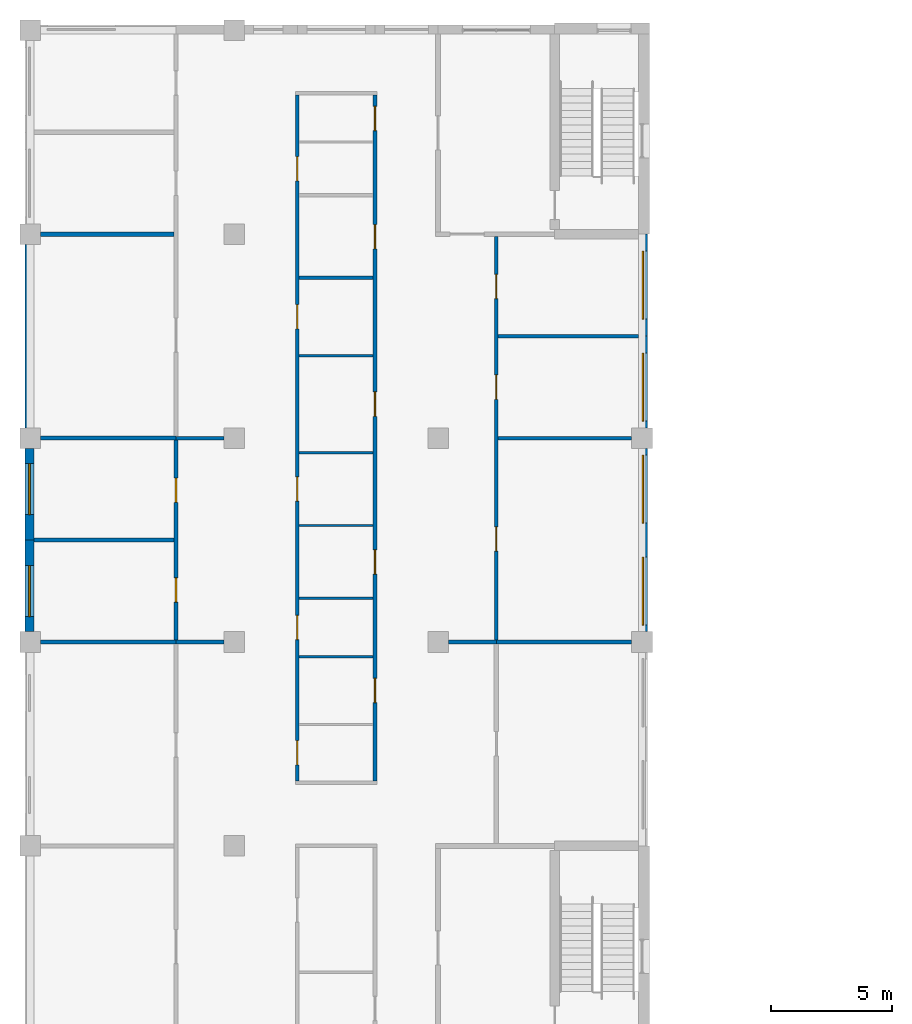
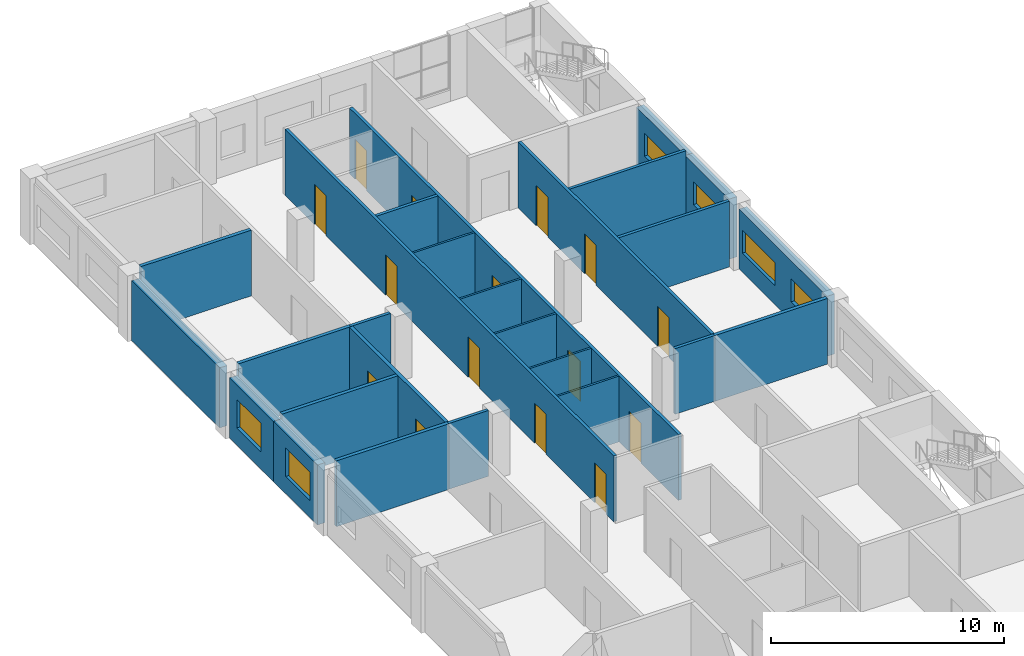
# One storey, part 68 of 94: 26 walls, 15 doors, 6 windows, 21 openings.
"""IFC4 building model written with IfcOpenShell, lengths in metres."""

from ifc_helpers import new_model, si_unit, direction, frame, frame_2d, origin, place, context, subcontext, project, spatial, rectangle, extrude, material, layer, layer_set, type_object, element, fill, save


model = new_model("IFC4")

# Units and contexts
model_context = context("Model", 3, precision=1e-05, world=origin(), true_north=direction((0.0, 1.0)))
body_context = subcontext(model_context, "Body", "Model", "MODEL_VIEW")
ifc_project = project(units=[si_unit("LENGTHUNIT", "METRE"), si_unit("AREAUNIT", "SQUARE_METRE"), si_unit("VOLUMEUNIT", "CUBIC_METRE"), si_unit("PLANEANGLEUNIT", "RADIAN"), si_unit("MASSUNIT", "GRAM", prefix="KILO")], contexts=[model_context])

# Site, building, storey
site_placement = place(None, origin())
site = spatial("IfcSite", under=ifc_project, at=site_placement, CompositionType="ELEMENT")
building_placement = place(site_placement, origin())
building = spatial("IfcBuilding", under=site, at=building_placement, Name="Yavir Park General Hospital", CompositionType="ELEMENT")
storey_placement = place(building_placement, frame((0.0, 0.0, 4.5)))
storey = spatial("IfcBuildingStorey", under=building, at=storey_placement, Name="L01", CompositionType="ELEMENT", Elevation=4.5)

# Walls
ifc_material_1 = material(Name="Double-leaf gypsum board acoustic partition on staggered studs")
ifc_layer_1 = layer(ifc_material_1, 0.175048828125)
ifc_layer_set_1 = layer_set([ifc_layer_1], Name="Double-leaf gypsum board acoustic partition on staggered studs")
wall_type_1 = type_object("IfcWallType", Name="Acoustic partition 175", PredefinedType="PARTITIONING", material=ifc_layer_set_1)
for number, where, z_axis, x_axis, name in (
    (1, (0.425048828125, 92.39990234375, 0.0), (0.0, 0.0, 1.0), (1.0, 0.0, 0.0), "AP175 L01-239"),
    (2, (19.199951171875, 92.39990234375, 0.0), (0.0, 0.0, 1.0), (1.0, 0.0, 0.0), "AP175 L01-242"),
):
    element("IfcWall", number, at=place(storey_placement, frame(where, z_axis=z_axis, x_axis=x_axis)), inside=storey, type_object=wall_type_1, Name=name, PredefinedType="PARTITIONING", context=body_context, shape_type="SweptSolid", body=[
        extrude(rectangle(XDim=5.574951171875, YDim=0.175048828125, at=frame_2d((2.78759765625, 0.0))), origin(), (0.0, 0.0, 1.0), 3.449951171875),
    ])
wall_1_placement = place(storey_placement, frame((0.14990234375, 96.60009765625, 0.0), z_axis=(0.0, 0.0, 1.0), x_axis=(1.0, 0.0, 0.0)))
element("IfcWall", 3, at=wall_1_placement, inside=storey, type_object=wall_type_1, Name="AP175 L01-247", PredefinedType="PARTITIONING", context=body_context, shape_type="SweptSolid", body=[
    extrude(rectangle(XDim=5.7626953125, YDim=0.175048828125, at=frame_2d((2.88134765625, 0.0))), origin(), (0.0, 0.0, 1.0), 3.449951171875),
])
wall_2_placement = place(storey_placement, frame((0.425048828125, 100.800048828125, 0.0), z_axis=(0.0, 0.0, 1.0), x_axis=(1.0, 0.0, 0.0)))
element("IfcWall", 4, at=wall_2_placement, inside=storey, type_object=wall_type_1, Name="AP175 L01-252", PredefinedType="PARTITIONING", context=body_context, shape_type="SweptSolid", body=[
    extrude(rectangle(XDim=5.574951171875, YDim=0.175048828125, at=frame_2d((2.78759765625, 0.0))), origin(), (0.0, 0.0, 1.0), 3.449951171875),
])
wall_3_placement = place(storey_placement, frame((0.425048828125, 109.199951171875, 0.0), z_axis=(0.0, 0.0, 1.0), x_axis=(1.0, 0.0, 0.0)))
element("IfcWall", 5, at=wall_3_placement, inside=storey, type_object=wall_type_1, Name="AP175 L01-263", PredefinedType="PARTITIONING", context=body_context, shape_type="SweptSolid", body=[
    extrude(rectangle(XDim=5.487548828125, YDim=0.175048828125, at=frame_2d((2.74365234375, 0.0))), origin(), (0.0, 0.0, 1.0), 3.449951171875),
])

# Wall, openings, doors
wall_4_placement = place(storey_placement, frame((6.0, 92.487548828125, 0.0), z_axis=(0.0, 0.0, 1.0), x_axis=(0.0, 1.0, 0.0)))
wall_4 = element("IfcWall", 6, at=wall_4_placement, inside=storey, type_object=wall_type_1, Name="AP175 L01-282", PredefinedType="PARTITIONING", context=body_context, shape_type="SweptSolid", body=[
    extrude(rectangle(XDim=8.224853515625, YDim=0.175048828125, at=frame_2d((4.1123046875, 0.0))), origin(), (0.0, 0.0, 1.0), 3.449951171875),
])
opening_1_placement = place(wall_4_placement, frame((1.55615234375, 0.0, 0.0)))
opening_1 = element("IfcOpeningElement", 7, at=opening_1_placement, cuts=wall_4, Name="Opening L01.D174", PredefinedType="OPENING", context=body_context, shape_type="SweptSolid", body=[
    extrude(rectangle(XDim=1.0, YDim=2.10009765625, at=frame_2d((0.5, 1.050048828125))), frame((0.0, 0.097412109375, 0.0), z_axis=(0.0, -1.0, 0.0), x_axis=(1.0, 0.0, 0.0)), (0.0, 0.0, 1.0), 0.195068359375),
])
opening_2_placement = place(wall_4_placement, frame((5.668701171875, 0.0, 0.0)))
opening_2 = element("IfcOpeningElement", 8, at=opening_2_placement, cuts=wall_4, Name="Opening L01.D175", PredefinedType="OPENING", context=body_context, shape_type="SweptSolid", body=[
    extrude(rectangle(XDim=1.0, YDim=2.10009765625, at=frame_2d((0.5, 1.050048828125))), frame((0.0, 0.097412109375, 0.0), z_axis=(0.0, -1.0, 0.0), x_axis=(1.0, 0.0, 0.0)), (0.0, 0.0, 1.0), 0.195068359375),
])
ifc_material_2 = material(Name="Sealed solid-core acoustic door leaf, Rw 42 dB")
door_type_1 = type_object("IfcDoorType", Name="Acoustic door 1000 x 2100", OperationType="SINGLE_SWING_LEFT", PredefinedType="DOOR", material=ifc_material_2)
door_1_placement = place(opening_1_placement, origin())
door_1 = element("IfcDoor", 9, at=door_1_placement, inside=storey, type_object=door_type_1, Name="L01.D174", OperationType="SINGLE_SWING_LEFT", OverallHeight=2.10009765625, OverallWidth=1.0, PredefinedType="DOOR", context=body_context, shape_type="SweptSolid", body=[
    extrude(rectangle(XDim=1.0, YDim=2.10009765625, at=frame_2d((0.5, 1.050048828125))), frame((0.0, 0.03515625, 0.0), z_axis=(0.0, -1.0, 0.0), x_axis=(1.0, 0.0, 0.0)), (0.0, 0.0, 1.0), 0.070068359375),
])
fill(opening_1, door_1)
door_2_placement = place(opening_2_placement, origin())
door_2 = element("IfcDoor", 10, at=door_2_placement, inside=storey, type_object=door_type_1, Name="L01.D175", OperationType="SINGLE_SWING_RIGHT", OverallHeight=2.10009765625, OverallWidth=1.0, PredefinedType="DOOR", context=body_context, shape_type="SweptSolid", body=[
    extrude(rectangle(XDim=1.0, YDim=2.10009765625, at=frame_2d((0.5, 1.050048828125))), frame((0.0, 0.03515625, 0.0), z_axis=(0.0, -1.0, 0.0), x_axis=(1.0, 0.0, 0.0)), (0.0, 0.0, 1.0), 0.070068359375),
])
fill(opening_2, door_2)

# Walls
ifc_material_3 = material(Name="Gypsum board partition on steel studs", Category="steel")
ifc_layer_2 = layer(ifc_material_3, 0.10009765625)
ifc_layer_set_2 = layer_set([ifc_layer_2], Name="Gypsum board partition on steel studs")
wall_type_2 = type_object("IfcWallType", Name="Gypsum board partition 100", PredefinedType="PARTITIONING", material=ifc_layer_set_2)
for number, where, z_axis, x_axis, name in (
    (11, (11.074951171875, 91.800048828125, 0.0), (0.0, 0.0, 1.0), (1.0, 0.0, 0.0), "P10 L01-238"),
    (12, (11.074951171875, 94.199951171875, 0.0), (0.0, 0.0, 1.0), (1.0, 0.0, 0.0), "P10 L01-245"),
    (13, (11.074951171875, 97.199951171875, 0.0), (0.0, 0.0, 1.0), (1.0, 0.0, 0.0), "P10 L01-249"),
    (14, (11.074951171875, 100.199951171875, 0.0), (0.0, 0.0, 1.0), (1.0, 0.0, 0.0), "P10 L01-251"),
    (15, (11.074951171875, 104.199951171875, 0.0), (0.0, 0.0, 1.0), (1.0, 0.0, 0.0), "P10 L01-258"),
):
    element("IfcWall", number, at=place(storey_placement, frame(where, z_axis=z_axis, x_axis=x_axis)), inside=storey, type_object=wall_type_2, Name=name, PredefinedType="PARTITIONING", context=body_context, shape_type="SweptSolid", body=[
        extrude(rectangle(XDim=3.050048828125, YDim=0.10009765625, at=frame_2d((1.52490234375, 0.0))), origin(), (0.0, 0.0, 1.0), 3.449951171875),
    ])
ifc_material_4 = material(Name="Gypsum board partition on steel studs", Category="steel")
ifc_layer_3 = layer(ifc_material_4, 0.14990234375)
ifc_layer_set_3 = layer_set([ifc_layer_3], Name="Gypsum board partition on steel studs")
wall_type_3 = type_object("IfcWallType", Name="Gypsum board partition 150", PredefinedType="PARTITIONING", material=ifc_layer_set_3)
wall_5_placement = place(storey_placement, frame((6.0, 92.39990234375, 0.0), z_axis=(0.0, 0.0, 1.0), x_axis=(1.0, 0.0, 0.0)))
element("IfcWall", 16, at=wall_5_placement, inside=storey, type_object=wall_type_3, Name="P15 L01-240", PredefinedType="PARTITIONING", context=body_context, shape_type="SweptSolid", body=[
    extrude(rectangle(XDim=1.97509765625, YDim=0.14990234375, at=frame_2d((0.987548828125, 0.0))), origin(), (0.0, 0.0, 1.0), 3.449951171875),
])
wall_6_placement = place(storey_placement, frame((17.22509765625, 92.39990234375, 0.0), z_axis=(0.0, 0.0, 1.0), x_axis=(1.0, 0.0, 0.0)))
element("IfcWall", 17, at=wall_6_placement, inside=storey, type_object=wall_type_3, Name="P15 L01-241", PredefinedType="PARTITIONING", context=body_context, shape_type="SweptSolid", body=[
    extrude(rectangle(XDim=1.974853515625, YDim=0.14990234375, at=frame_2d((0.9873046875, 0.0))), origin(), (0.0, 0.0, 1.0), 3.449951171875),
])
wall_7_placement = place(storey_placement, frame((6.0, 100.800048828125, 0.0), z_axis=(0.0, 0.0, 1.0), x_axis=(1.0, 0.0, 0.0)))
element("IfcWall", 18, at=wall_7_placement, inside=storey, type_object=wall_type_3, Name="P15 L01-253", PredefinedType="PARTITIONING", context=body_context, shape_type="SweptSolid", body=[
    extrude(rectangle(XDim=1.97509765625, YDim=0.14990234375, at=frame_2d((0.987548828125, 0.0))), origin(), (0.0, 0.0, 1.0), 3.449951171875),
])
wall_8_placement = place(storey_placement, frame((19.27490234375, 100.800048828125, 0.0), z_axis=(0.0, 0.0, 1.0), x_axis=(1.0, 0.0, 0.0)))
element("IfcWall", 19, at=wall_8_placement, inside=storey, type_object=wall_type_3, Name="P15 L01-254", PredefinedType="PARTITIONING", context=body_context, shape_type="SweptSolid", body=[
    extrude(rectangle(XDim=5.5, YDim=0.14990234375, at=frame_2d((2.75, 0.0))), origin(), (0.0, 0.0, 1.0), 3.449951171875),
])
wall_9_placement = place(storey_placement, frame((19.27490234375, 105.0, 0.0), z_axis=(0.0, 0.0, 1.0), x_axis=(1.0, 0.0, 0.0)))
element("IfcWall", 20, at=wall_9_placement, inside=storey, type_object=wall_type_3, Name="P15 L01-260", PredefinedType="PARTITIONING", context=body_context, shape_type="SweptSolid", body=[
    extrude(rectangle(XDim=5.775146484375, YDim=0.14990234375, at=frame_2d((2.8876953125, 0.0))), origin(), (0.0, 0.0, 1.0), 3.449951171875),
])
wall_10_placement = place(storey_placement, frame((11.074951171875, 107.39990234375, 0.0), z_axis=(0.0, 0.0, 1.0), x_axis=(1.0, 0.0, 0.0)))
element("IfcWall", 21, at=wall_10_placement, inside=storey, type_object=wall_type_3, Name="P15 L01-262", PredefinedType="PARTITIONING", context=body_context, shape_type="SweptSolid", body=[
    extrude(rectangle(XDim=3.050048828125, YDim=0.14990234375, at=frame_2d((1.52490234375, 0.0))), origin(), (0.0, 0.0, 1.0), 3.449951171875),
])

# Wall, openings, doors
wall_11_placement = place(storey_placement, frame((11.0, 86.675048828125, 0.0), z_axis=(0.0, 0.0, 1.0), x_axis=(0.0, 1.0, 0.0)))
wall_11 = element("IfcWall", 22, at=wall_11_placement, inside=storey, type_object=wall_type_3, Name="P15 L01-292", PredefinedType="PARTITIONING", context=body_context, shape_type="SweptSolid", body=[
    extrude(rectangle(XDim=28.25, YDim=0.14990234375, at=frame_2d((14.125, 0.0))), origin(), (0.0, 0.0, 1.0), 3.449951171875),
])
opening_3_placement = place(wall_11_placement, frame((0.66259765625, 0.0, 0.0)))
opening_3 = element("IfcOpeningElement", 23, at=opening_3_placement, cuts=wall_11, Name="Opening L01.D189", PredefinedType="OPENING", context=body_context, shape_type="SweptSolid", body=[
    extrude(rectangle(XDim=1.0, YDim=2.10009765625, at=frame_2d((0.5, 1.050048828125))), frame((0.0, 0.0849609375, 0.0), z_axis=(0.0, -1.0, 0.0), x_axis=(1.0, 0.0, 0.0)), (0.0, 0.0, 1.0), 0.169921875),
])
opening_4_placement = place(wall_11_placement, frame((5.824951171875, 0.0, 0.0)))
opening_4 = element("IfcOpeningElement", 24, at=opening_4_placement, cuts=wall_11, Name="Opening L01.D190", PredefinedType="OPENING", context=body_context, shape_type="SweptSolid", body=[
    extrude(rectangle(XDim=1.0, YDim=2.10009765625, at=frame_2d((0.5, 1.050048828125))), frame((0.0, 0.0849609375, 0.0), z_axis=(0.0, -1.0, 0.0), x_axis=(1.0, 0.0, 0.0)), (0.0, 0.0, 1.0), 0.169921875),
])
opening_5_placement = place(wall_11_placement, frame((11.52490234375, 0.0, 0.0)))
opening_5 = element("IfcOpeningElement", 25, at=opening_5_placement, cuts=wall_11, Name="Opening L01.D191", PredefinedType="OPENING", context=body_context, shape_type="SweptSolid", body=[
    extrude(rectangle(XDim=1.0, YDim=2.10009765625, at=frame_2d((0.5, 1.050048828125))), frame((0.0, 0.0849609375, 0.0), z_axis=(0.0, -1.0, 0.0), x_axis=(1.0, 0.0, 0.0)), (0.0, 0.0, 1.0), 0.169921875),
])
opening_6_placement = place(wall_11_placement, frame((18.625, 0.0, 0.0)))
opening_6 = element("IfcOpeningElement", 26, at=opening_6_placement, cuts=wall_11, Name="Opening L01.D192", PredefinedType="OPENING", context=body_context, shape_type="SweptSolid", body=[
    extrude(rectangle(XDim=1.0, YDim=2.10009765625, at=frame_2d((0.5, 1.050048828125))), frame((0.0, 0.0849609375, 0.0), z_axis=(0.0, -1.0, 0.0), x_axis=(1.0, 0.0, 0.0)), (0.0, 0.0, 1.0), 0.169921875),
])
opening_7_placement = place(wall_11_placement, frame((24.72509765625, 0.0, 0.0)))
opening_7 = element("IfcOpeningElement", 27, at=opening_7_placement, cuts=wall_11, Name="Opening L01.D193", PredefinedType="OPENING", context=body_context, shape_type="SweptSolid", body=[
    extrude(rectangle(XDim=1.0, YDim=2.10009765625, at=frame_2d((0.5, 1.050048828125))), frame((0.0, 0.0849609375, 0.0), z_axis=(0.0, -1.0, 0.0), x_axis=(1.0, 0.0, 0.0)), (0.0, 0.0, 1.0), 0.169921875),
])
ifc_material_5 = material(Name="Hollow metal frame, solid-core timber leaf", Category="wood")
door_type_2 = type_object("IfcDoorType", Name="Single swing door 1000 x 2100", OperationType="SINGLE_SWING_LEFT", PredefinedType="DOOR", material=ifc_material_5)
door_3_placement = place(opening_3_placement, origin())
door_3 = element("IfcDoor", 28, at=door_3_placement, inside=storey, type_object=door_type_2, Name="L01.D189", OperationType="SINGLE_SWING_RIGHT", OverallHeight=2.10009765625, OverallWidth=1.0, PredefinedType="DOOR", context=body_context, shape_type="SweptSolid", body=[
    extrude(rectangle(XDim=1.0, YDim=2.10009765625, at=frame_2d((0.5, 1.050048828125))), frame((0.0, 0.02490234375, 0.0), z_axis=(0.0, -1.0, 0.0), x_axis=(1.0, 0.0, 0.0)), (0.0, 0.0, 1.0), 0.050048828125),
])
fill(opening_3, door_3)
door_4_placement = place(opening_4_placement, origin())
door_4 = element("IfcDoor", 29, at=door_4_placement, inside=storey, type_object=door_type_2, Name="L01.D190", OperationType="SINGLE_SWING_LEFT", OverallHeight=2.10009765625, OverallWidth=1.0, PredefinedType="DOOR", context=body_context, shape_type="SweptSolid", body=[
    extrude(rectangle(XDim=1.0, YDim=2.10009765625, at=frame_2d((0.5, 1.050048828125))), frame((0.0, 0.02490234375, 0.0), z_axis=(0.0, -1.0, 0.0), x_axis=(1.0, 0.0, 0.0)), (0.0, 0.0, 1.0), 0.050048828125),
])
fill(opening_4, door_4)
door_5_placement = place(opening_5_placement, origin())
door_5 = element("IfcDoor", 30, at=door_5_placement, inside=storey, type_object=door_type_2, Name="L01.D191", OperationType="SINGLE_SWING_LEFT", OverallHeight=2.10009765625, OverallWidth=1.0, PredefinedType="DOOR", context=body_context, shape_type="SweptSolid", body=[
    extrude(rectangle(XDim=1.0, YDim=2.10009765625, at=frame_2d((0.5, 1.050048828125))), frame((0.0, 0.02490234375, 0.0), z_axis=(0.0, -1.0, 0.0), x_axis=(1.0, 0.0, 0.0)), (0.0, 0.0, 1.0), 0.050048828125),
])
fill(opening_5, door_5)
door_6_placement = place(opening_6_placement, origin())
door_6 = element("IfcDoor", 31, at=door_6_placement, inside=storey, type_object=door_type_2, Name="L01.D192", OperationType="SINGLE_SWING_LEFT", OverallHeight=2.10009765625, OverallWidth=1.0, PredefinedType="DOOR", context=body_context, shape_type="SweptSolid", body=[
    extrude(rectangle(XDim=1.0, YDim=2.10009765625, at=frame_2d((0.5, 1.050048828125))), frame((0.0, 0.02490234375, 0.0), z_axis=(0.0, -1.0, 0.0), x_axis=(1.0, 0.0, 0.0)), (0.0, 0.0, 1.0), 0.050048828125),
])
fill(opening_6, door_6)
door_7_placement = place(opening_7_placement, origin())
door_7 = element("IfcDoor", 32, at=door_7_placement, inside=storey, type_object=door_type_2, Name="L01.D193", OperationType="SINGLE_SWING_LEFT", OverallHeight=2.10009765625, OverallWidth=1.0, PredefinedType="DOOR", context=body_context, shape_type="SweptSolid", body=[
    extrude(rectangle(XDim=1.0, YDim=2.10009765625, at=frame_2d((0.5, 1.050048828125))), frame((0.0, 0.02490234375, 0.0), z_axis=(0.0, -1.0, 0.0), x_axis=(1.0, 0.0, 0.0)), (0.0, 0.0, 1.0), 0.050048828125),
])
fill(opening_7, door_7)

wall_12_placement = place(storey_placement, frame((14.199951171875, 86.675048828125, 0.0), z_axis=(0.0, 0.0, 1.0), x_axis=(0.0, 1.0, 0.0)))
wall_12 = element("IfcWall", 33, at=wall_12_placement, inside=storey, type_object=wall_type_3, Name="P15 L01-299", PredefinedType="PARTITIONING", context=body_context, shape_type="SweptSolid", body=[
    extrude(rectangle(XDim=28.25, YDim=0.14990234375, at=frame_2d((14.125, 0.0))), origin(), (0.0, 0.0, 1.0), 3.449951171875),
])
opening_8_placement = place(wall_12_placement, frame((3.22509765625, 0.0, 0.0)))
opening_8 = element("IfcOpeningElement", 34, at=opening_8_placement, cuts=wall_12, Name="Opening L01.D203", PredefinedType="OPENING", context=body_context, shape_type="SweptSolid", body=[
    extrude(rectangle(XDim=1.0, YDim=2.10009765625, at=frame_2d((0.5, 1.050048828125))), frame((0.0, 0.0849609375, 0.0), z_axis=(0.0, -1.0, 0.0), x_axis=(1.0, 0.0, 0.0)), (0.0, 0.0, 1.0), 0.169921875),
])
opening_9_placement = place(wall_12_placement, frame((8.52490234375, 0.0, 0.0)))
opening_9 = element("IfcOpeningElement", 35, at=opening_9_placement, cuts=wall_12, Name="Opening L01.D204", PredefinedType="OPENING", context=body_context, shape_type="SweptSolid", body=[
    extrude(rectangle(XDim=1.0, YDim=2.10009765625, at=frame_2d((0.5, 1.050048828125))), frame((0.0, 0.0849609375, 0.0), z_axis=(0.0, -1.0, 0.0), x_axis=(1.0, 0.0, 0.0)), (0.0, 0.0, 1.0), 0.169921875),
])
opening_10_placement = place(wall_12_placement, frame((15.02490234375, 0.0, 0.0)))
opening_10 = element("IfcOpeningElement", 36, at=opening_10_placement, cuts=wall_12, Name="Opening L01.D205", PredefinedType="OPENING", context=body_context, shape_type="SweptSolid", body=[
    extrude(rectangle(XDim=1.0, YDim=2.10009765625, at=frame_2d((0.5, 1.050048828125))), frame((0.0, 0.0849609375, 0.0), z_axis=(0.0, -1.0, 0.0), x_axis=(1.0, 0.0, 0.0)), (0.0, 0.0, 1.0), 0.169921875),
])
opening_11_placement = place(wall_12_placement, frame((21.925048828125, 0.0, 0.0)))
opening_11 = element("IfcOpeningElement", 37, at=opening_11_placement, cuts=wall_12, Name="Opening L01.D206", PredefinedType="OPENING", context=body_context, shape_type="SweptSolid", body=[
    extrude(rectangle(XDim=1.0, YDim=2.10009765625, at=frame_2d((0.5, 1.050048828125))), frame((0.0, 0.0849609375, 0.0), z_axis=(0.0, -1.0, 0.0), x_axis=(1.0, 0.0, 0.0)), (0.0, 0.0, 1.0), 0.169921875),
])
opening_12_placement = place(wall_12_placement, frame((26.78759765625, 0.0, 0.0)))
opening_12 = element("IfcOpeningElement", 38, at=opening_12_placement, cuts=wall_12, Name="Opening L01.D207", PredefinedType="OPENING", context=body_context, shape_type="SweptSolid", body=[
    extrude(rectangle(XDim=1.0, YDim=2.10009765625, at=frame_2d((0.5, 1.050048828125))), frame((0.0, 0.0849609375, 0.0), z_axis=(0.0, -1.0, 0.0), x_axis=(1.0, 0.0, 0.0)), (0.0, 0.0, 1.0), 0.169921875),
])
door_8_placement = place(opening_8_placement, origin())
door_8 = element("IfcDoor", 39, at=door_8_placement, inside=storey, type_object=door_type_2, Name="L01.D203", OperationType="SINGLE_SWING_RIGHT", OverallHeight=2.10009765625, OverallWidth=1.0, PredefinedType="DOOR", context=body_context, shape_type="SweptSolid", body=[
    extrude(rectangle(XDim=1.0, YDim=2.10009765625, at=frame_2d((0.5, 1.050048828125))), frame((0.0, 0.02490234375, 0.0), z_axis=(0.0, -1.0, 0.0), x_axis=(1.0, 0.0, 0.0)), (0.0, 0.0, 1.0), 0.050048828125),
])
fill(opening_8, door_8)
door_9_placement = place(opening_9_placement, origin())
door_9 = element("IfcDoor", 40, at=door_9_placement, inside=storey, type_object=door_type_2, Name="L01.D204", OperationType="SINGLE_SWING_RIGHT", OverallHeight=2.10009765625, OverallWidth=1.0, PredefinedType="DOOR", context=body_context, shape_type="SweptSolid", body=[
    extrude(rectangle(XDim=1.0, YDim=2.10009765625, at=frame_2d((0.5, 1.050048828125))), frame((0.0, 0.02490234375, 0.0), z_axis=(0.0, -1.0, 0.0), x_axis=(1.0, 0.0, 0.0)), (0.0, 0.0, 1.0), 0.050048828125),
])
fill(opening_9, door_9)
door_10_placement = place(opening_10_placement, origin())
door_10 = element("IfcDoor", 41, at=door_10_placement, inside=storey, type_object=door_type_2, Name="L01.D205", OperationType="SINGLE_SWING_RIGHT", OverallHeight=2.10009765625, OverallWidth=1.0, PredefinedType="DOOR", context=body_context, shape_type="SweptSolid", body=[
    extrude(rectangle(XDim=1.0, YDim=2.10009765625, at=frame_2d((0.5, 1.050048828125))), frame((0.0, 0.02490234375, 0.0), z_axis=(0.0, -1.0, 0.0), x_axis=(1.0, 0.0, 0.0)), (0.0, 0.0, 1.0), 0.050048828125),
])
fill(opening_10, door_10)
door_11_placement = place(opening_11_placement, origin())
door_11 = element("IfcDoor", 42, at=door_11_placement, inside=storey, type_object=door_type_2, Name="L01.D206", OperationType="SINGLE_SWING_RIGHT", OverallHeight=2.10009765625, OverallWidth=1.0, PredefinedType="DOOR", context=body_context, shape_type="SweptSolid", body=[
    extrude(rectangle(XDim=1.0, YDim=2.10009765625, at=frame_2d((0.5, 1.050048828125))), frame((0.0, 0.02490234375, 0.0), z_axis=(0.0, -1.0, 0.0), x_axis=(1.0, 0.0, 0.0)), (0.0, 0.0, 1.0), 0.050048828125),
])
fill(opening_11, door_11)
door_12_placement = place(opening_12_placement, origin())
door_12 = element("IfcDoor", 43, at=door_12_placement, inside=storey, type_object=door_type_2, Name="L01.D207", OperationType="SINGLE_SWING_LEFT", OverallHeight=2.10009765625, OverallWidth=1.0, PredefinedType="DOOR", context=body_context, shape_type="SweptSolid", body=[
    extrude(rectangle(XDim=1.0, YDim=2.10009765625, at=frame_2d((0.5, 1.050048828125))), frame((0.0, 0.02490234375, 0.0), z_axis=(0.0, -1.0, 0.0), x_axis=(1.0, 0.0, 0.0)), (0.0, 0.0, 1.0), 0.050048828125),
])
fill(opening_12, door_12)

wall_13_placement = place(storey_placement, frame((19.199951171875, 92.487548828125, 0.0), z_axis=(0.0, 0.0, 1.0), x_axis=(0.0, 1.0, 0.0)))
wall_13 = element("IfcWall", 44, at=wall_13_placement, inside=storey, type_object=wall_type_3, Name="P15 L01-312", PredefinedType="PARTITIONING", context=body_context, shape_type="SweptSolid", body=[
    extrude(rectangle(XDim=16.612548828125, YDim=0.14990234375, at=frame_2d((8.30615234375, 0.0))), origin(), (0.0, 0.0, 1.0), 3.449951171875),
])
opening_13_placement = place(wall_13_placement, frame((3.65625, 0.0, 0.0)))
opening_13 = element("IfcOpeningElement", 45, at=opening_13_placement, cuts=wall_13, Name="Opening L01.D218", PredefinedType="OPENING", context=body_context, shape_type="SweptSolid", body=[
    extrude(rectangle(XDim=1.0, YDim=2.10009765625, at=frame_2d((0.5, 1.050048828125))), frame((0.0, 0.0849609375, 0.0), z_axis=(0.0, -1.0, 0.0), x_axis=(1.0, 0.0, 0.0)), (0.0, 0.0, 1.0), 0.169921875),
])
opening_14_placement = place(wall_13_placement, frame((9.91259765625, 0.0, 0.0)))
opening_14 = element("IfcOpeningElement", 46, at=opening_14_placement, cuts=wall_13, Name="Opening L01.D219", PredefinedType="OPENING", context=body_context, shape_type="SweptSolid", body=[
    extrude(rectangle(XDim=1.0, YDim=2.10009765625, at=frame_2d((0.5, 1.050048828125))), frame((0.0, 0.0849609375, 0.0), z_axis=(0.0, -1.0, 0.0), x_axis=(1.0, 0.0, 0.0)), (0.0, 0.0, 1.0), 0.169921875),
])
opening_15_placement = place(wall_13_placement, frame((14.0625, 0.0, 0.0)))
opening_15 = element("IfcOpeningElement", 47, at=opening_15_placement, cuts=wall_13, Name="Opening L01.D220", PredefinedType="OPENING", context=body_context, shape_type="SweptSolid", body=[
    extrude(rectangle(XDim=1.0, YDim=2.10009765625, at=frame_2d((0.5, 1.050048828125))), frame((0.0, 0.0849609375, 0.0), z_axis=(0.0, -1.0, 0.0), x_axis=(1.0, 0.0, 0.0)), (0.0, 0.0, 1.0), 0.169921875),
])
door_13_placement = place(opening_13_placement, origin())
door_13 = element("IfcDoor", 48, at=door_13_placement, inside=storey, type_object=door_type_2, Name="L01.D218", OperationType="SINGLE_SWING_RIGHT", OverallHeight=2.10009765625, OverallWidth=1.0, PredefinedType="DOOR", context=body_context, shape_type="SweptSolid", body=[
    extrude(rectangle(XDim=1.0, YDim=2.10009765625, at=frame_2d((0.5, 1.050048828125))), frame((0.0, 0.02490234375, 0.0), z_axis=(0.0, -1.0, 0.0), x_axis=(1.0, 0.0, 0.0)), (0.0, 0.0, 1.0), 0.050048828125),
])
fill(opening_13, door_13)
door_14_placement = place(opening_14_placement, origin())
door_14 = element("IfcDoor", 49, at=door_14_placement, inside=storey, type_object=door_type_2, Name="L01.D219", OperationType="SINGLE_SWING_LEFT", OverallHeight=2.10009765625, OverallWidth=1.0, PredefinedType="DOOR", context=body_context, shape_type="SweptSolid", body=[
    extrude(rectangle(XDim=1.0, YDim=2.10009765625, at=frame_2d((0.5, 1.050048828125))), frame((0.0, 0.02490234375, 0.0), z_axis=(0.0, -1.0, 0.0), x_axis=(1.0, 0.0, 0.0)), (0.0, 0.0, 1.0), 0.050048828125),
])
fill(opening_14, door_14)
door_15_placement = place(opening_15_placement, origin())
door_15 = element("IfcDoor", 50, at=door_15_placement, inside=storey, type_object=door_type_2, Name="L01.D220", OperationType="SINGLE_SWING_LEFT", OverallHeight=2.10009765625, OverallWidth=1.0, PredefinedType="DOOR", context=body_context, shape_type="SweptSolid", body=[
    extrude(rectangle(XDim=1.0, YDim=2.10009765625, at=frame_2d((0.5, 1.050048828125))), frame((0.0, 0.02490234375, 0.0), z_axis=(0.0, -1.0, 0.0), x_axis=(1.0, 0.0, 0.0)), (0.0, 0.0, 1.0), 0.050048828125),
])
fill(opening_15, door_15)

# Wall, opening, window
ifc_material_6 = material(Name="Autoclaved aerated block, 150 mm mineral wool and sand-coloured mineral render")
ifc_layer_4 = layer(ifc_material_6, 0.375)
ifc_layer_set_4 = layer_set([ifc_layer_4], Name="Autoclaved aerated block, 150 mm mineral wool and sand-coloured mineral render")
wall_type_4 = type_object("IfcWallType", Name="Mineral render clinical wall 375, E 30", PredefinedType="SOLIDWALL", material=ifc_layer_set_4)
wall_14_placement = place(storey_placement, frame((-0.03759765625, 92.824951171875, 0.0), z_axis=(0.0, 0.0, 1.0), x_axis=(0.0, 1.0, 0.0)))
wall_14 = element("IfcWall", 51, at=wall_14_placement, inside=storey, type_object=wall_type_4, Name="XW1 L01-149", PredefinedType="SOLIDWALL", context=body_context, shape_type="SweptSolid", body=[
    extrude(rectangle(XDim=3.775146484375, YDim=0.375, at=frame_2d((1.8876953125, 0.0))), origin(), (0.0, 0.0, 1.0), 3.14990234375),
])
opening_16_placement = place(wall_14_placement, frame((0.625, 0.0, 0.89990234375)))
opening_16 = element("IfcOpeningElement", 52, at=opening_16_placement, cuts=wall_14, Name="Opening WA", PredefinedType="OPENING", context=body_context, shape_type="SweptSolid", body=[
    extrude(rectangle(XDim=2.10009765625, YDim=1.5, at=frame_2d((1.050048828125, 0.75))), frame((0.0, 0.197509765625, 0.0), z_axis=(0.0, -1.0, 0.0), x_axis=(1.0, 0.0, 0.0)), (0.0, 0.0, 1.0), 0.39501953125),
])
ifc_material_7 = material(Name="Aluminium frame, double glazed unit", Category="aluminium")
window_type_1 = type_object("IfcWindowType", Name="Ward window 2100 x 1500", PartitioningType="DOUBLE_PANEL_VERTICAL", PredefinedType="WINDOW", material=ifc_material_7)
window_1_placement = place(opening_16_placement, origin())
window_1 = element("IfcWindow", 53, at=window_1_placement, inside=storey, type_object=window_type_1, Name="WA L01-084", OverallHeight=1.5, OverallWidth=2.10009765625, PartitioningType="DOUBLE_PANEL_VERTICAL", PredefinedType="WINDOW", context=body_context, shape_type="SweptSolid", body=[
    extrude(rectangle(XDim=2.10009765625, YDim=1.5, at=frame_2d((1.050048828125, 0.75))), frame((0.0, 0.030029296875, 0.0), z_axis=(0.0, -1.0, 0.0), x_axis=(1.0, 0.0, 0.0)), (0.0, 0.0, 1.0), 0.06005859375),
])
fill(opening_16, window_1)

wall_15_placement = place(storey_placement, frame((-0.03759765625, 96.60009765625, 0.0), z_axis=(0.0, 0.0, 1.0), x_axis=(0.0, 1.0, 0.0)))
wall_15 = element("IfcWall", 54, at=wall_15_placement, inside=storey, type_object=wall_type_4, Name="XW1 L01-150", PredefinedType="SOLIDWALL", context=body_context, shape_type="SweptSolid", body=[
    extrude(rectangle(XDim=3.77490234375, YDim=0.375, at=frame_2d((1.887451171875, 0.0))), origin(), (0.0, 0.0, 1.0), 3.14990234375),
])
opening_17_placement = place(wall_15_placement, frame((1.050048828125, 0.0, 0.89990234375)))
opening_17 = element("IfcOpeningElement", 55, at=opening_17_placement, cuts=wall_15, Name="Opening WA", PredefinedType="OPENING", context=body_context, shape_type="SweptSolid", body=[
    extrude(rectangle(XDim=2.10009765625, YDim=1.5, at=frame_2d((1.050048828125, 0.75))), frame((0.0, 0.197509765625, 0.0), z_axis=(0.0, -1.0, 0.0), x_axis=(1.0, 0.0, 0.0)), (0.0, 0.0, 1.0), 0.39501953125),
])
window_2_placement = place(opening_17_placement, origin())
window_2 = element("IfcWindow", 56, at=window_2_placement, inside=storey, type_object=window_type_1, Name="WA L01-085", OverallHeight=1.5, OverallWidth=2.10009765625, PartitioningType="DOUBLE_PANEL_VERTICAL", PredefinedType="WINDOW", context=body_context, shape_type="SweptSolid", body=[
    extrude(rectangle(XDim=2.10009765625, YDim=1.5, at=frame_2d((1.050048828125, 0.75))), frame((0.0, 0.030029296875, 0.0), z_axis=(0.0, -1.0, 0.0), x_axis=(1.0, 0.0, 0.0)), (0.0, 0.0, 1.0), 0.06005859375),
])
fill(opening_17, window_2)

# Wall
wall_16_placement = place(storey_placement, frame((-0.03759765625, 101.22509765625, 0.0), z_axis=(0.0, 0.0, 1.0), x_axis=(0.0, 1.0, 0.0)))
element("IfcWall", 57, at=wall_16_placement, inside=storey, type_object=wall_type_4, Name="XW1 L01-151", PredefinedType="SOLIDWALL", context=body_context, shape_type="SweptSolid", body=[
    extrude(rectangle(XDim=7.5498046875, YDim=0.375, at=frame_2d((3.77490234375, 0.0))), origin(), (0.0, 0.0, 1.0), 3.14990234375),
])

# Wall, openings, windows
wall_17_placement = place(storey_placement, frame((25.237548828125, 92.824951171875, 0.0), z_axis=(0.0, 0.0, 1.0), x_axis=(0.0, 1.0, 0.0)))
wall_17 = element("IfcWall", 58, at=wall_17_placement, inside=storey, type_object=wall_type_4, Name="XW1 L01-167", PredefinedType="SOLIDWALL", context=body_context, shape_type="SweptSolid", body=[
    extrude(rectangle(XDim=7.550048828125, YDim=0.375, at=frame_2d((3.77490234375, 0.0))), origin(), (0.0, 0.0, 1.0), 3.14990234375),
])
opening_18_placement = place(wall_17_placement, frame((0.27490234375, 0.0, 1.0)))
opening_18 = element("IfcOpeningElement", 59, at=opening_18_placement, cuts=wall_17, Name="Opening WRB", PredefinedType="OPENING", context=body_context, shape_type="SweptSolid", body=[
    extrude(rectangle(XDim=2.800048828125, YDim=1.199951171875, at=frame_2d((1.39990234375, 0.60009765625))), frame((0.0, 0.197509765625, 0.0), z_axis=(0.0, -1.0, 0.0), x_axis=(1.0, 0.0, 0.0)), (0.0, 0.0, 1.0), 0.39501953125),
])
opening_19_placement = place(wall_17_placement, frame((4.47509765625, 0.0, 1.0)))
opening_19 = element("IfcOpeningElement", 60, at=opening_19_placement, cuts=wall_17, Name="Opening WRB", PredefinedType="OPENING", context=body_context, shape_type="SweptSolid", body=[
    extrude(rectangle(XDim=2.800048828125, YDim=1.199951171875, at=frame_2d((1.39990234375, 0.60009765625))), frame((0.0, 0.197509765625, 0.0), z_axis=(0.0, -1.0, 0.0), x_axis=(1.0, 0.0, 0.0)), (0.0, 0.0, 1.0), 0.39501953125),
])
ifc_material_8 = material(Name="Aluminium frame, double glazed unit", Category="aluminium")
window_type_2 = type_object("IfcWindowType", Name="Ribbon window 2800 x 1200", PartitioningType="DOUBLE_PANEL_VERTICAL", PredefinedType="WINDOW", material=ifc_material_8)
window_3_placement = place(opening_18_placement, origin())
window_3 = element("IfcWindow", 61, at=window_3_placement, inside=storey, type_object=window_type_2, Name="WRB L01-096", OverallHeight=1.199951171875, OverallWidth=2.800048828125, PartitioningType="DOUBLE_PANEL_VERTICAL", PredefinedType="WINDOW", context=body_context, shape_type="SweptSolid", body=[
    extrude(rectangle(XDim=2.800048828125, YDim=1.199951171875, at=frame_2d((1.39990234375, 0.60009765625))), frame((0.0, 0.030029296875, 0.0), z_axis=(0.0, -1.0, 0.0), x_axis=(1.0, 0.0, 0.0)), (0.0, 0.0, 1.0), 0.06005859375),
])
fill(opening_18, window_3)
window_4_placement = place(opening_19_placement, origin())
window_4 = element("IfcWindow", 62, at=window_4_placement, inside=storey, type_object=window_type_2, Name="WRB L01-097", OverallHeight=1.199951171875, OverallWidth=2.800048828125, PartitioningType="DOUBLE_PANEL_VERTICAL", PredefinedType="WINDOW", context=body_context, shape_type="SweptSolid", body=[
    extrude(rectangle(XDim=2.800048828125, YDim=1.199951171875, at=frame_2d((1.39990234375, 0.60009765625))), frame((0.0, 0.030029296875, 0.0), z_axis=(0.0, -1.0, 0.0), x_axis=(1.0, 0.0, 0.0)), (0.0, 0.0, 1.0), 0.06005859375),
])
fill(opening_19, window_4)

# Wall, opening, window
wall_18_placement = place(storey_placement, frame((25.237548828125, 101.22509765625, 0.0), z_axis=(0.0, 0.0, 1.0), x_axis=(0.0, 1.0, 0.0)))
wall_18 = element("IfcWall", 63, at=wall_18_placement, inside=storey, type_object=wall_type_4, Name="XW1 L01-168", PredefinedType="SOLIDWALL", context=body_context, shape_type="SweptSolid", body=[
    extrude(rectangle(XDim=3.77490234375, YDim=0.375, at=frame_2d((1.887451171875, 0.0))), origin(), (0.0, 0.0, 1.0), 3.14990234375),
])
opening_20_placement = place(wall_18_placement, frame((0.27490234375, 0.0, 1.0)))
opening_20 = element("IfcOpeningElement", 64, at=opening_20_placement, cuts=wall_18, Name="Opening WRB", PredefinedType="OPENING", context=body_context, shape_type="SweptSolid", body=[
    extrude(rectangle(XDim=2.800048828125, YDim=1.199951171875, at=frame_2d((1.39990234375, 0.60009765625))), frame((0.0, 0.197509765625, 0.0), z_axis=(0.0, -1.0, 0.0), x_axis=(1.0, 0.0, 0.0)), (0.0, 0.0, 1.0), 0.39501953125),
])
window_5_placement = place(opening_20_placement, origin())
window_5 = element("IfcWindow", 65, at=window_5_placement, inside=storey, type_object=window_type_2, Name="WRB L01-098", OverallHeight=1.199951171875, OverallWidth=2.800048828125, PartitioningType="DOUBLE_PANEL_VERTICAL", PredefinedType="WINDOW", context=body_context, shape_type="SweptSolid", body=[
    extrude(rectangle(XDim=2.800048828125, YDim=1.199951171875, at=frame_2d((1.39990234375, 0.60009765625))), frame((0.0, 0.030029296875, 0.0), z_axis=(0.0, -1.0, 0.0), x_axis=(1.0, 0.0, 0.0)), (0.0, 0.0, 1.0), 0.06005859375),
])
fill(opening_20, window_5)

wall_19_placement = place(storey_placement, frame((25.237548828125, 105.0, 0.0), z_axis=(0.0, 0.0, 1.0), x_axis=(0.0, 1.0, 0.0)))
wall_19 = element("IfcWall", 66, at=wall_19_placement, inside=storey, type_object=wall_type_4, Name="XW1 L01-169", PredefinedType="SOLIDWALL", context=body_context, shape_type="SweptSolid", body=[
    extrude(rectangle(XDim=4.199951171875, YDim=0.375, at=frame_2d((2.10009765625, 0.0))), origin(), (0.0, 0.0, 1.0), 3.14990234375),
])
opening_21_placement = place(wall_19_placement, frame((0.699951171875, 0.0, 1.0)))
opening_21 = element("IfcOpeningElement", 67, at=opening_21_placement, cuts=wall_19, Name="Opening WRB", PredefinedType="OPENING", context=body_context, shape_type="SweptSolid", body=[
    extrude(rectangle(XDim=2.800048828125, YDim=1.199951171875, at=frame_2d((1.39990234375, 0.60009765625))), frame((0.0, 0.197509765625, 0.0), z_axis=(0.0, -1.0, 0.0), x_axis=(1.0, 0.0, 0.0)), (0.0, 0.0, 1.0), 0.39501953125),
])
window_6_placement = place(opening_21_placement, origin())
window_6 = element("IfcWindow", 68, at=window_6_placement, inside=storey, type_object=window_type_2, Name="WRB L01-099", OverallHeight=1.199951171875, OverallWidth=2.800048828125, PartitioningType="DOUBLE_PANEL_VERTICAL", PredefinedType="WINDOW", context=body_context, shape_type="SweptSolid", body=[
    extrude(rectangle(XDim=2.800048828125, YDim=1.199951171875, at=frame_2d((1.39990234375, 0.60009765625))), frame((0.0, 0.030029296875, 0.0), z_axis=(0.0, -1.0, 0.0), x_axis=(1.0, 0.0, 0.0)), (0.0, 0.0, 1.0), 0.06005859375),
])
fill(opening_21, window_6)

save(model, "model.ifc")
